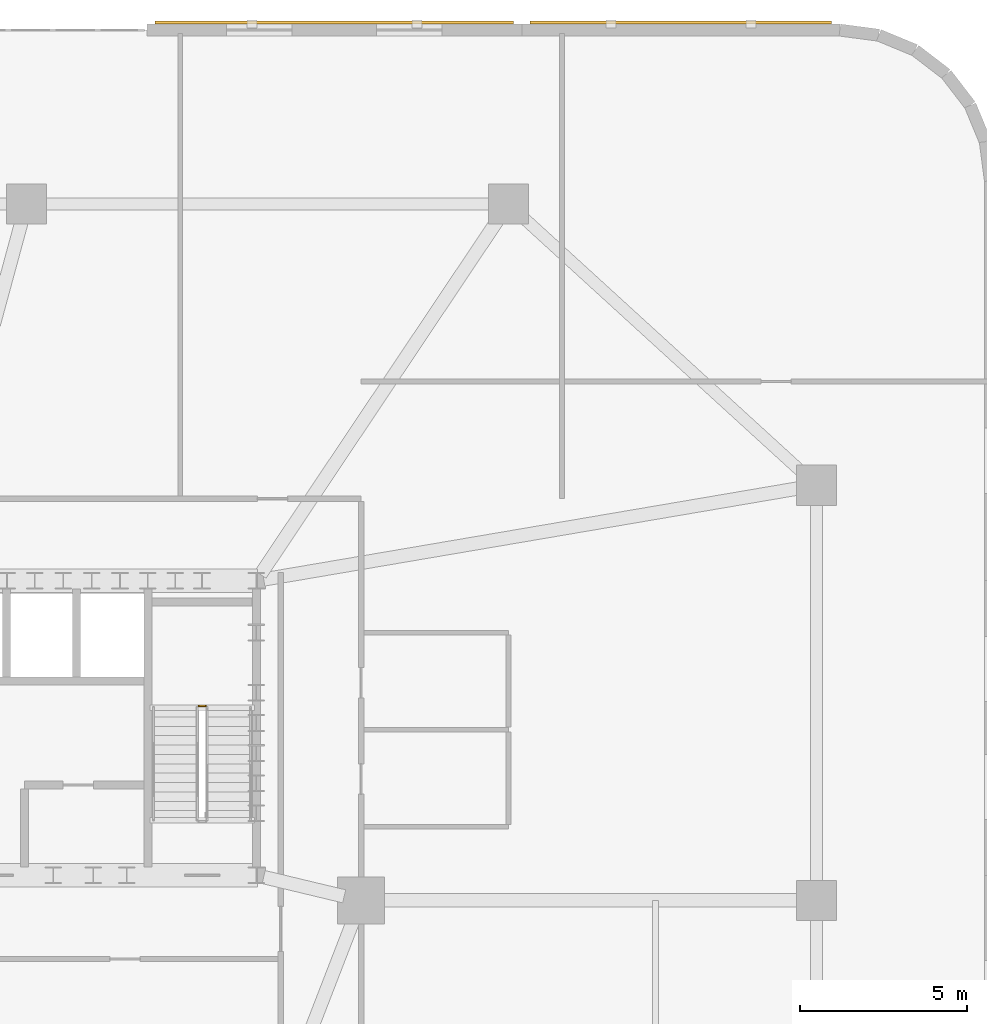
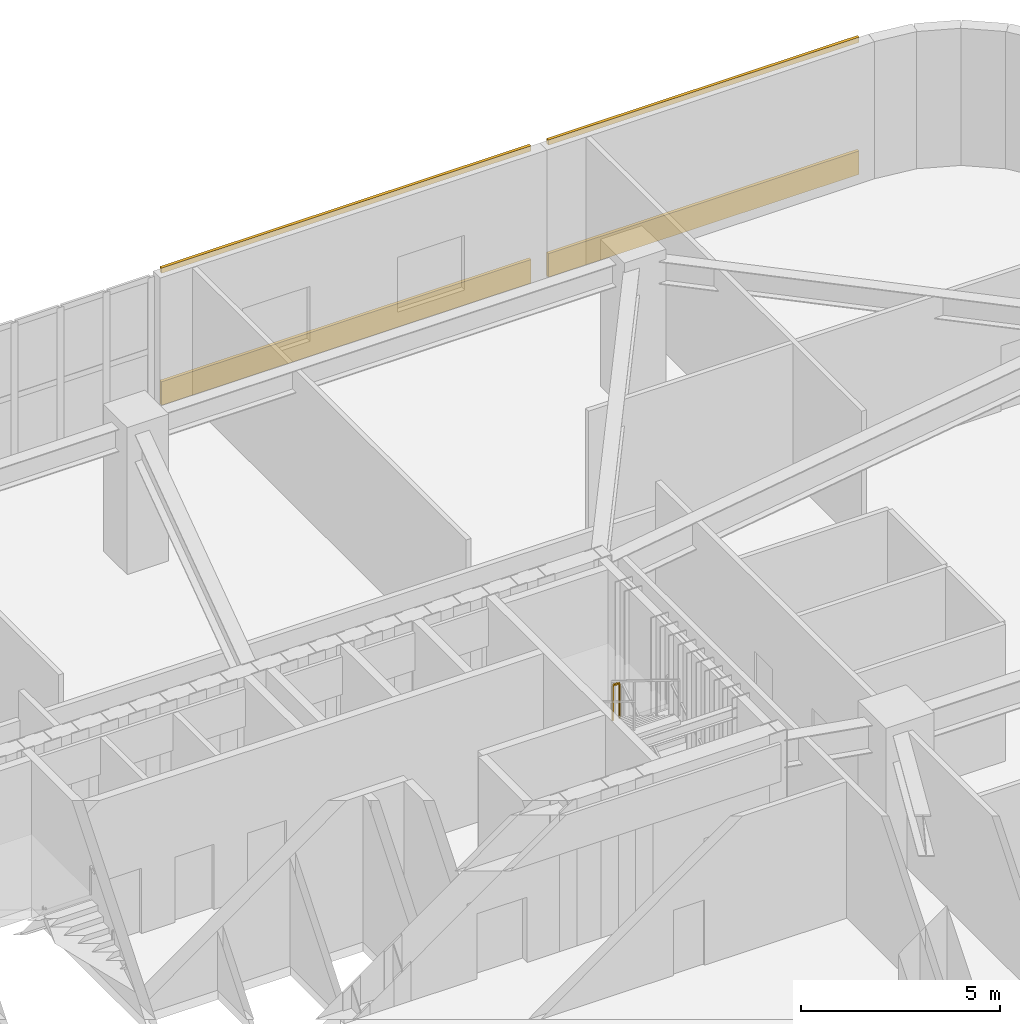
# One storey, part 24 of 25: 4 coverings, 1 railing.
"""IFC4 building model written with IfcOpenShell, lengths in metres."""

import ifcopenshell
import ifcopenshell.guid

model = None  # the IFC model being written
_history = None  # IfcOwnerHistory: only IFC2X3 demands one
_inside = {}  # id of a spatial element -> (the spatial element, [elements in it])
_under = {}  # id of a project, library or spatial element -> (it, [spatial elements below it])
_declared = {}  # id of a project -> (the project, [libraries it declares])
_typed = {}  # id of a type object -> (the type object, [elements of that type])
_made_of = {}  # id of a material, layer set ... -> (it, [elements and type objects made of it])


def new_model(schema):
    """Start an empty IFC model of exactly this schema.

    Asked for "IFC4X3", IfcOpenShell would pick the latest addendum, in which some entities
    have other attributes; the version numbers below select the first issue.
    IFC2X3 requires an IfcOwnerHistory on every rooted entity: one is made here for all.
    """
    global model, _history
    if schema == "IFC4X3":
        model = ifcopenshell.file(schema_version=(4, 3, 0, 0))
    else:
        model = ifcopenshell.file(schema=schema)
    _inside.clear()
    _under.clear()
    _declared.clear()
    _typed.clear()
    _made_of.clear()
    _history = None
    if model.schema == "IFC2X3":
        org = make("IfcOrganization", Name="unknown")
        user = make(
            "IfcPersonAndOrganization",
            ThePerson=make("IfcPerson", FamilyName="unknown"),
            TheOrganization=org,
        )
        app = make(
            "IfcApplication",
            ApplicationDeveloper=org,
            Version="unknown",
            ApplicationFullName="unknown",
            ApplicationIdentifier="unknown",
        )
        _history = make(
            "IfcOwnerHistory",
            OwningUser=user,
            OwningApplication=app,
            ChangeAction="ADDED",
            CreationDate=0,
        )
    return model


def make(cls, **values):
    """One entity of the class cls with the attributes given. An attribute that is None is left unset."""
    return model.create_entity(
        cls, **{name: value for name, value in values.items() if value is not None}
    )


def rooted(cls, **values):
    """An entity with a GlobalId (a new one), such as an element, a storey or a relation."""
    return make(cls, GlobalId=ifcopenshell.guid.new(), OwnerHistory=_history, **values)


def si_unit(unit_type, name, prefix=None):
    """IfcSIUnit, for example si_unit("LENGTHUNIT", "METRE", prefix="MILLI")."""
    return make("IfcSIUnit", UnitType=unit_type, Prefix=prefix, Name=name)


def assignment(units):
    """IfcUnitAssignment: the units of a project."""
    return None if units is None else make("IfcUnitAssignment", Units=units)


def point(xyz):
    """IfcCartesianPoint."""
    return None if xyz is None else make("IfcCartesianPoint", Coordinates=xyz)


def direction(xyz):
    """IfcDirection."""
    return None if xyz is None else make("IfcDirection", DirectionRatios=xyz)


def frame(location, z_axis=None, x_axis=None):
    """IfcAxis2Placement3D, a coordinate frame: its origin and axes. An axis left out is left unset."""
    return make(
        "IfcAxis2Placement3D",
        Location=point(location),
        Axis=direction(z_axis),
        RefDirection=direction(x_axis),
    )


def frame_2d(location, x_axis=None):
    """IfcAxis2Placement2D, a coordinate frame in the plane: its origin and x axis."""
    return make(
        "IfcAxis2Placement2D", Location=point(location), RefDirection=direction(x_axis)
    )


def origin():
    """The frame at (0, 0, 0) with its axes left unset."""
    return frame((0.0, 0.0, 0.0))


def origin_2d():
    """The frame at (0, 0) in the plane with its x axis left unset."""
    return frame_2d((0.0, 0.0))


def place(relative_to, where):
    """IfcLocalPlacement: puts the frame where relative to a parent placement (None: the world)."""
    return make(
        "IfcLocalPlacement", PlacementRelTo=relative_to, RelativePlacement=where
    )


def context(
    kind, dimensions, precision=None, world=None, true_north=None, identifier=None
):
    """IfcGeometricRepresentationContext, for example the 3D "Model" context."""
    return make(
        "IfcGeometricRepresentationContext",
        ContextIdentifier=identifier,
        ContextType=kind,
        CoordinateSpaceDimension=dimensions,
        Precision=precision,
        WorldCoordinateSystem=world,
        TrueNorth=true_north,
    )


def subcontext(parent, identifier, kind, view, scale=None):
    """IfcGeometricRepresentationSubContext, for example "Body" below "Model"."""
    return make(
        "IfcGeometricRepresentationSubContext",
        ContextIdentifier=identifier,
        ContextType=kind,
        ParentContext=parent,
        TargetScale=scale,
        TargetView=view,
    )


def project(units=None, contexts=None):
    """IfcProject with its units and contexts."""
    return rooted(
        "IfcProject",
        Name="project",
        RepresentationContexts=contexts,
        UnitsInContext=assignment(units),
    )


def spatial(cls, under=None, at=None, **own):
    """A site, building, storey or space (cls), placed at a placement, below another one or the project."""
    s = rooted(cls, ObjectPlacement=at, **own)
    if under is not None:
        _under.setdefault(under.id(), (under, []))[1].append(s)
    return s


def polyline(points):
    """IfcPolyline through the points."""
    return make("IfcPolyline", Points=[point(p) for p in points])


def profile(cls, at=None, kind="AREA", **sizes):
    """A parametric profile (cls). Its sizes go by their IFC names, for example OverallWidth=200.0."""
    return make(cls, ProfileType=kind, Position=at, **sizes)


def rectangle(**sizes):
    """IfcRectangleProfileDef."""
    return profile("IfcRectangleProfileDef", **sizes)


def outline(outer, holes=None, kind="AREA"):
    """IfcArbitraryClosedProfileDef: a profile drawn as a closed curve; with holes, ...WithVoids."""
    if holes is None:
        return make("IfcArbitraryClosedProfileDef", ProfileType=kind, OuterCurve=outer)
    return make(
        "IfcArbitraryProfileDefWithVoids",
        ProfileType=kind,
        OuterCurve=outer,
        InnerCurves=holes,
    )


def extrude(swept, where, along, depth):
    """IfcExtrudedAreaSolid: the profile swept, set in the frame where, extruded along a direction by depth."""
    return make(
        "IfcExtrudedAreaSolid",
        SweptArea=swept,
        Position=where,
        ExtrudedDirection=direction(along),
        Depth=depth,
    )


def shape(context_of_items, identifier, shape_type, items):
    """IfcShapeRepresentation: the items that make up one representation, for example the "Body"."""
    return make(
        "IfcShapeRepresentation",
        ContextOfItems=context_of_items,
        RepresentationIdentifier=identifier,
        RepresentationType=shape_type,
        Items=items,
    )


def material(Name=None, Category=None):
    """IfcMaterial."""
    return make("IfcMaterial", Name=Name, Category=Category)


def layer(
    of_material, thickness, ventilated=None, Name=None, Category=None, Priority=None
):
    """IfcMaterialLayer: one layer of a wall or slab, of a material (None: an air gap)."""
    return make(
        "IfcMaterialLayer",
        Material=of_material,
        LayerThickness=thickness,
        IsVentilated=ventilated,
        Name=Name,
        Category=Category,
        Priority=Priority,
    )


def layer_set(layers, Name=None):
    """IfcMaterialLayerSet."""
    return make("IfcMaterialLayerSet", MaterialLayers=layers, LayerSetName=Name)


def made_of(thing, what):
    """Note that an element or type object is made of a material, layer set ...; save() writes the relation."""
    if what is not None:
        _made_of.setdefault(what.id(), (what, []))[1].append(thing)
    return thing


def type_object(cls, material=None, **own):
    """A type object (cls), such as IfcWallType, which elements share."""
    return made_of(rooted(cls, **own), material)


def element(
    cls,
    number,
    at=None,
    inside=None,
    cuts=None,
    type_object=None,
    material=None,
    context=None,
    identifier="Body",
    shape_type=None,
    held_by="IfcProductDefinitionShape",
    body=None,
    shapes=None,
    **own,
):
    """One element of the class cls, such as IfcWall. Its Tag is "e" and its number.

    at: its placement. inside: the storey or other place that contains it. cuts: it is an
    opening in that element (IfcRelVoidsElement). A single representation is given by context,
    identifier, shape_type and body (its items); several are given by shapes. held_by: the class
    of the entity that holds the representations. save() writes the other relations.
    """
    e = rooted(cls, Tag="e%d" % number, ObjectPlacement=at, **own)
    if body is not None:
        shapes = [shape(context, identifier, shape_type, body)]
    if shapes is not None:
        e.Representation = make(held_by, Representations=shapes)
    if inside is not None:
        _inside.setdefault(inside.id(), (inside, []))[1].append(e)
    if cuts is not None:
        rooted(
            "IfcRelVoidsElement", RelatingBuildingElement=cuts, RelatedOpeningElement=e
        )
    if type_object is not None:
        _typed.setdefault(type_object.id(), (type_object, []))[1].append(e)
    return made_of(e, material)


def aggregate(whole, parts):
    """IfcRelAggregates: a whole, such as a stair, and the parts it consists of."""
    return rooted("IfcRelAggregates", RelatingObject=whole, RelatedObjects=parts)


def save(model, path):
    """Write the relations noted so far, then the file.

    IfcRelAggregates (storeys below a building ...), IfcRelContainedInSpatialStructure (elements
    in a storey), IfcRelDefinesByType, IfcRelAssociatesMaterial and IfcRelDeclares: one each for
    every whole, place, type object, material and project.
    """
    for whole, parts in _under.values():
        aggregate(whole, parts)
    for where, things in _inside.values():
        rooted(
            "IfcRelContainedInSpatialStructure",
            RelatedElements=things,
            RelatingStructure=where,
        )
    for kind, things in _typed.values():
        rooted("IfcRelDefinesByType", RelatedObjects=things, RelatingType=kind)
    for what, things in _made_of.values():
        rooted("IfcRelAssociatesMaterial", RelatedObjects=things, RelatingMaterial=what)
    for by, libraries in _declared.values():
        rooted("IfcRelDeclares", RelatingContext=by, RelatedDefinitions=libraries)
    model.write(path)


model = new_model("IFC4")

# Units and contexts
model_context = context("Model", 3, precision=1e-05, world=origin(), true_north=direction((0.0, 1.0)))
body_context = subcontext(model_context, "Body", "Model", "MODEL_VIEW")
ifc_project = project(units=[si_unit("LENGTHUNIT", "METRE"), si_unit("AREAUNIT", "SQUARE_METRE"), si_unit("VOLUMEUNIT", "CUBIC_METRE"), si_unit("PLANEANGLEUNIT", "RADIAN"), si_unit("MASSUNIT", "GRAM", prefix="KILO")], contexts=[model_context])

# Site, building, storey
site_placement = place(None, origin())
site = spatial("IfcSite", under=ifc_project, at=site_placement, CompositionType="ELEMENT")
building_placement = place(site_placement, origin())
building = spatial("IfcBuilding", under=site, at=building_placement, Name="Haldorwick Loom Tower", CompositionType="ELEMENT")
storey_placement = place(building_placement, frame((0.0, 0.0, 10.5)))
storey = spatial("IfcBuildingStorey", under=building, at=storey_placement, Name="L02", CompositionType="ELEMENT", Elevation=10.5)

# Coverings
ifc_material_1 = material(Name="Corbelled Pressed Clay Face Brick Veneer", Category="masonry")
ifc_layer = layer(ifc_material_1, 0.090087890625, Name="Corbelled Pressed Clay Face Brick Veneer", Category="masonry")
ifc_layer_set = layer_set([ifc_layer], Name="Corbelled Pressed Clay Face Brick Veneer")
covering_type = type_object("IfcCoveringType", Name="ARC-COV-BRICK090", PredefinedType="CLADDING", material=ifc_layer_set)
covering_1_placement = place(storey_placement, origin())
element("IfcCovering", 1, at=covering_1_placement, inside=storey, type_object=covering_type, Name="L02 Sill Face-Brick Spandrel 17", PredefinedType="CLADDING", context=body_context, shape_type="SweptSolid", body=[
    extrude(outline(polyline([(67.25, 52.27001953125), (58.25, 52.27001953125), (58.25, 52.179931640625), (67.25, 52.179931640625), (67.25, 52.27001953125)])), origin(), (0.0, 0.0, 1.0), 0.719970703125),
])
covering_2_placement = place(storey_placement, frame((0.0, 0.0, 4.0400390625)))
element("IfcCovering", 2, at=covering_2_placement, inside=storey, type_object=covering_type, Name="L02 Head Face-Brick Lintel Band 17", PredefinedType="CLADDING", context=body_context, shape_type="SweptSolid", body=[
    extrude(outline(polyline([(67.25, 52.27001953125), (58.25, 52.27001953125), (58.25, 52.179931640625), (67.25, 52.179931640625), (67.25, 52.27001953125)])), origin(), (0.0, 0.0, 1.0), 0.159912109375),
])
covering_3_placement = place(storey_placement, origin())
element("IfcCovering", 3, at=covering_3_placement, inside=storey, type_object=covering_type, Name="L02 Sill Face-Brick Spandrel 18", PredefinedType="CLADDING", context=body_context, shape_type="SweptSolid", body=[
    extrude(outline(polyline([(57.75, 52.27001953125), (47.050048828125, 52.27001953125), (47.050048828125, 52.179931640625), (57.75, 52.179931640625), (57.75, 52.27001953125)])), origin(), (0.0, 0.0, 1.0), 0.719970703125),
])
covering_4_placement = place(storey_placement, frame((0.0, 0.0, 4.0400390625)))
element("IfcCovering", 4, at=covering_4_placement, inside=storey, type_object=covering_type, Name="L02 Head Face-Brick Lintel Band 18", PredefinedType="CLADDING", context=body_context, shape_type="SweptSolid", body=[
    extrude(outline(polyline([(57.75, 52.27001953125), (47.050048828125, 52.27001953125), (47.050048828125, 52.179931640625), (57.75, 52.179931640625), (57.75, 52.27001953125)])), origin(), (0.0, 0.0, 1.0), 0.159912109375),
])

# Railing
ifc_material_2 = material(Name="Steel CSA G40.21 350W", Category="steel")
railing_type = type_object("IfcRailingType", Name="ARC-RLG-GUARD112", PredefinedType="GUARDRAIL", material=ifc_material_2)
railing_placement = place(storey_placement, frame((48.550048828125, 31.81005859375, 2.25)))
element("IfcRailing", 5, at=railing_placement, inside=storey, type_object=railing_type, Name="L02 ST-02 stair guard 2", PredefinedType="GUARDRAIL", context=body_context, shape_type="SweptSolid", body=[
    extrude(rectangle(XDim=0.048095703125, YDim=0.048095703125, at=origin_2d()), frame((0.0, 0.0, 1.076171875), z_axis=(-1.0, 0.0, 0.0), x_axis=(0.0, -1.0, 0.0)), (0.0, 0.0, 1.0), 0.199951171875),
    extrude(rectangle(XDim=0.0419921875, YDim=0.0419921875, at=origin_2d()), origin(), (0.0, 0.0, 1.0), 1.052001953125),
    extrude(rectangle(XDim=0.0419921875, YDim=0.0419921875, at=origin_2d()), frame((-0.199951171875, 0.0, 0.0)), (0.0, 0.0, 1.0), 1.052001953125),
])

save(model, "model.ifc")
